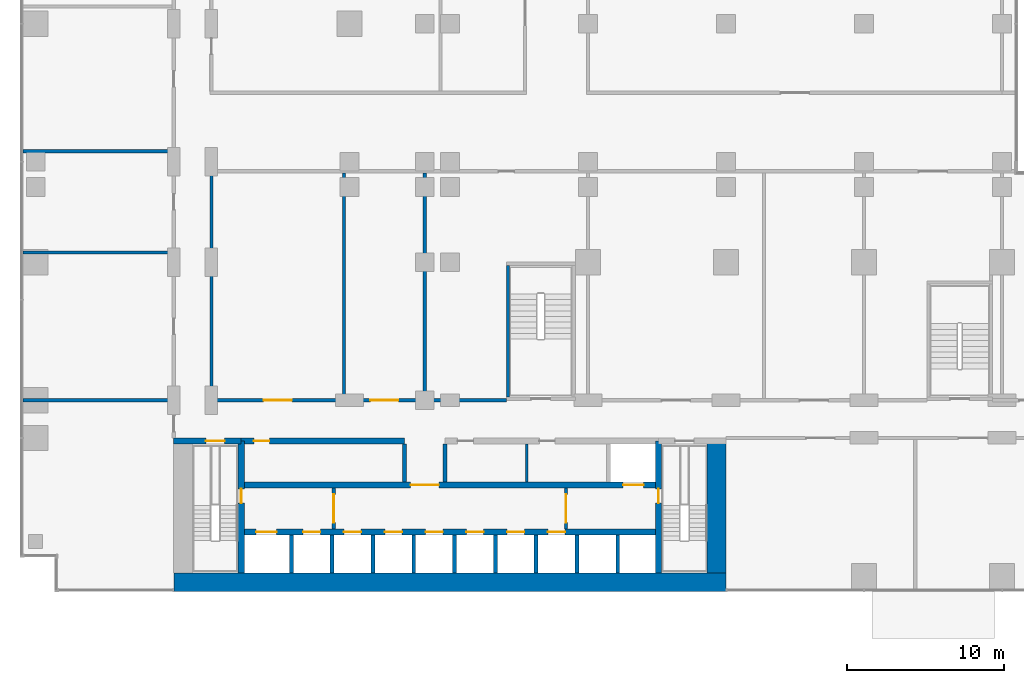
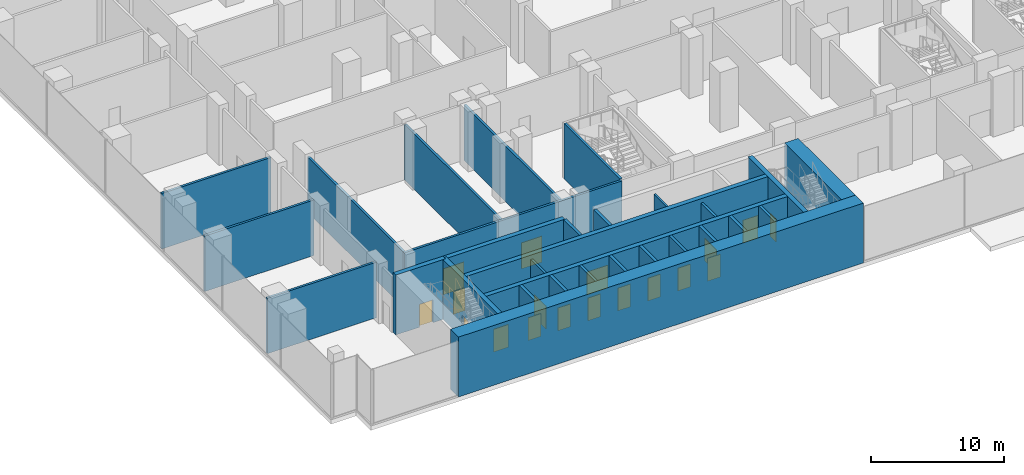
# One storey, part 18 of 30: 30 walls, 18 doors, 18 openings.
"""IFC4 building model written with IfcOpenShell, lengths in metres."""

from ifc_helpers import new_model, si_unit, direction, frame, frame_2d, origin, place, context, subcontext, project, spatial, rectangle, extrude, material, layer, layer_set, type_object, element, fill, save


model = new_model("IFC4")

# Units and contexts
model_context = context("Model", 3, precision=1e-05, world=origin(), true_north=direction((0.0, 1.0)))
body_context = subcontext(model_context, "Body", "Model", "MODEL_VIEW")
ifc_project = project(units=[si_unit("LENGTHUNIT", "METRE"), si_unit("AREAUNIT", "SQUARE_METRE"), si_unit("VOLUMEUNIT", "CUBIC_METRE"), si_unit("PLANEANGLEUNIT", "RADIAN"), si_unit("MASSUNIT", "GRAM", prefix="KILO")], contexts=[model_context])

# Site, building, storey
site_placement = place(None, origin())
site = spatial("IfcSite", under=ifc_project, at=site_placement, CompositionType="ELEMENT")
building_placement = place(site_placement, origin())
building = spatial("IfcBuilding", under=site, at=building_placement, Name="Kemantara Hotel Tower", CompositionType="ELEMENT")
storey_placement = place(building_placement, frame((0.0, 0.0, 7.5)))
storey = spatial("IfcBuildingStorey", under=building, at=storey_placement, Name="L01", CompositionType="ELEMENT", Elevation=7.5)

# Walls
ifc_material_1 = material(Name="Concrete fc 70 MPa", Category="concrete")
ifc_layer_1 = layer(ifc_material_1, 1.199951171875)
ifc_layer_set_1 = layer_set([ifc_layer_1], Name="Concrete fc 70 MPa")
wall_type_1 = type_object("IfcWallType", Name="CORE WALL 1200 FC70", PredefinedType="SHEAR", material=ifc_layer_set_1)
wall_1_placement = place(storey_placement, frame((9.800048828125, 0.60009765625, 0.0), z_axis=(0.0, 0.0, 1.0), x_axis=(1.0, 0.0, 0.0)))
element("IfcWall", 1, at=wall_1_placement, inside=storey, type_object=wall_type_1, Name="CORE WALL CW-S", PredefinedType="SHEAR", context=body_context, shape_type="SweptSolid", body=[
    extrude(rectangle(XDim=35.199951171875, YDim=1.199951171875, at=frame_2d((17.60009765625, 0.0))), origin(), (0.0, 0.0, 1.0), 5.5),
])
wall_2_placement = place(storey_placement, frame((44.39990234375, 1.199951171875, 0.0), z_axis=(0.0, 0.0, 1.0), x_axis=(0.0, 1.0, 0.0)))
element("IfcWall", 2, at=wall_2_placement, inside=storey, type_object=wall_type_1, Name="CORE WALL CW-E", PredefinedType="SHEAR", context=body_context, shape_type="SweptSolid", body=[
    extrude(rectangle(XDim=8.60009765625, YDim=1.199951171875, at=frame_2d((4.300048828125, 0.0))), origin(), (0.0, 0.0, 1.0), 5.5),
])
ifc_layer_2 = layer(ifc_material_1, 0.25)
ifc_layer_set_2 = layer_set([ifc_layer_2], Name="Concrete fc 70 MPa")
wall_type_2 = type_object("IfcWallType", Name="CORE WALL 250 FC70", PredefinedType="SHEAR", material=ifc_layer_set_2)
for number, where, z_axis, x_axis, name in (
    (3, (17.300048828125, 1.199951171875, 0.0), (0.0, 0.0, 1.0), (0.0, 1.0, 0.0), "CORE WALL CW-DS17.3"),
    (4, (19.89990234375, 1.199951171875, 0.0), (0.0, 0.0, 1.0), (0.0, 1.0, 0.0), "CORE WALL CW-DS19.9"),
    (5, (22.5, 1.199951171875, 0.0), (0.0, 0.0, 1.0), (0.0, 1.0, 0.0), "CORE WALL CW-DS22.5"),
    (6, (25.10009765625, 1.199951171875, 0.0), (0.0, 0.0, 1.0), (0.0, 1.0, 0.0), "CORE WALL CW-DS25.1"),
    (7, (27.699951171875, 1.199951171875, 0.0), (0.0, 0.0, 1.0), (0.0, 1.0, 0.0), "CORE WALL CW-DS27.7"),
    (8, (30.300048828125, 1.199951171875, 0.0), (0.0, 0.0, 1.0), (0.0, 1.0, 0.0), "CORE WALL CW-DS30.3"),
    (9, (32.89990234375, 1.199951171875, 0.0), (0.0, 0.0, 1.0), (0.0, 1.0, 0.0), "CORE WALL CW-DS32.9"),
    (10, (35.5, 1.199951171875, 0.0), (0.0, 0.0, 1.0), (0.0, 1.0, 0.0), "CORE WALL CW-DS35.5"),
    (11, (38.10009765625, 1.199951171875, 0.0), (0.0, 0.0, 1.0), (0.0, 1.0, 0.0), "CORE WALL CW-DS38.1"),
):
    element("IfcWall", number, at=place(storey_placement, frame(where, z_axis=z_axis, x_axis=x_axis)), inside=storey, type_object=wall_type_2, Name=name, PredefinedType="SHEAR", context=body_context, shape_type="SweptSolid", body=[
        extrude(rectangle(XDim=2.400146484375, YDim=0.25, at=frame_2d((1.2001953125, 0.0))), origin(), (0.0, 0.0, 1.0), 5.5),
    ])
for number, where, z_axis, x_axis, name in (
    (12, (24.5, 7.0, 0.0), (0.0, 0.0, 1.0), (0.0, 1.0, 0.0), "CORE WALL CW-DN24.5"),
    (13, (27.10009765625, 7.0, 0.0), (0.0, 0.0, 1.0), (0.0, 1.0, 0.0), "CORE WALL CW-DN27.1"),
):
    element("IfcWall", number, at=place(storey_placement, frame(where, z_axis=z_axis, x_axis=x_axis)), inside=storey, type_object=wall_type_2, Name=name, PredefinedType="SHEAR", context=body_context, shape_type="SweptSolid", body=[
        extrude(rectangle(XDim=2.39990234375, YDim=0.25, at=frame_2d((1.199951171875, 0.0))), origin(), (0.0, 0.0, 1.0), 5.5),
    ])

# Wall, opening, door
ifc_layer_3 = layer(ifc_material_1, 0.39990234375)
ifc_layer_set_3 = layer_set([ifc_layer_3], Name="Concrete fc 70 MPa")
wall_type_3 = type_object("IfcWallType", Name="CORE WALL 400 FC70", PredefinedType="SHEAR", material=ifc_layer_set_3)
wall_3_placement = place(storey_placement, frame((9.800048828125, 9.60009765625, 0.0), z_axis=(0.0, 0.0, 1.0), x_axis=(1.0, 0.0, 0.0)))
wall_3 = element("IfcWall", 14, at=wall_3_placement, inside=storey, type_object=wall_type_3, Name="CORE WALL CW-N1", PredefinedType="SHEAR", context=body_context, shape_type="SweptSolid", body=[
    extrude(rectangle(XDim=4.300048828125, YDim=0.39990234375, at=frame_2d((2.14990234375, 0.0))), origin(), (0.0, 0.0, 1.0), 5.5),
])
opening_1_placement = place(wall_3_placement, frame((2.050048828125, 0.0, 0.0)))
opening_1 = element("IfcOpeningElement", 15, at=opening_1_placement, cuts=wall_3, Name="Opening C04-ST1-C", PredefinedType="OPENING", context=body_context, shape_type="SweptSolid", body=[
    extrude(rectangle(XDim=1.199951171875, YDim=2.10009765625, at=frame_2d((0.60009765625, 1.050048828125))), frame((0.0, 0.2099609375, 0.0), z_axis=(0.0, -1.0, 0.0), x_axis=(1.0, 0.0, 0.0)), (0.0, 0.0, 1.0), 0.419921875),
])
ifc_material_2 = material(Name="Steel fire door", Category="steel")
door_type_1 = type_object("IfcDoorType", Name="Fire door FD90 1200 x 2100", OperationType="NOTDEFINED", PredefinedType="DOOR", material=ifc_material_2)
door_1_placement = place(opening_1_placement, frame((1.199951171875, 0.0, 0.0), z_axis=(0.0, 0.0, 1.0), x_axis=(-1.0, 0.0, 0.0)))
door_1 = element("IfcDoor", 16, at=door_1_placement, inside=storey, type_object=door_type_1, Name="Stair ST1 door to corridor", OperationType="SINGLE_SWING_LEFT", OverallHeight=2.10009765625, OverallWidth=1.199951171875, PredefinedType="DOOR", context=body_context, shape_type="SweptSolid", body=[
    extrude(rectangle(XDim=1.199951171875, YDim=2.10009765625, at=frame_2d((0.60009765625, 1.050048828125))), frame((0.0, 0.02490234375, 0.0), z_axis=(0.0, -1.0, 0.0), x_axis=(1.0, 0.0, 0.0)), (0.0, 0.0, 1.0), 0.050048828125),
])
fill(opening_1, door_1)

wall_4_placement = place(storey_placement, frame((14.10009765625, 9.60009765625, 0.0), z_axis=(0.0, 0.0, 1.0), x_axis=(1.0, 0.0, 0.0)))
wall_4 = element("IfcWall", 17, at=wall_4_placement, inside=storey, type_object=wall_type_3, Name="CORE WALL CW-NN1", PredefinedType="SHEAR", context=body_context, shape_type="SweptSolid", body=[
    extrude(rectangle(XDim=10.39990234375, YDim=0.39990234375, at=frame_2d((5.199951171875, 0.0))), origin(), (0.0, 0.0, 1.0), 5.5),
])
opening_2_placement = place(wall_4_placement, frame((0.800048828125, 0.0, 0.0)))
opening_2 = element("IfcOpeningElement", 18, at=opening_2_placement, cuts=wall_4, Name="Opening C04-R-NW1", PredefinedType="OPENING", context=body_context, shape_type="SweptSolid", body=[
    extrude(rectangle(XDim=1.0, YDim=2.10009765625, at=frame_2d((0.5, 1.050048828125))), frame((0.0, 0.2099609375, 0.0), z_axis=(0.0, -1.0, 0.0), x_axis=(1.0, 0.0, 0.0)), (0.0, 0.0, 1.0), 0.419921875),
])
door_type_2 = type_object("IfcDoorType", Name="Fire door FD30S 1000 x 2100", OperationType="NOTDEFINED", PredefinedType="DOOR", material=ifc_material_2)
door_2_placement = place(opening_2_placement, frame((1.0, 0.0, 0.0), z_axis=(0.0, 0.0, 1.0), x_axis=(-1.0, 0.0, 0.0)))
door_2 = element("IfcDoor", 19, at=door_2_placement, inside=storey, type_object=door_type_2, Name="Linen Store door", OperationType="SINGLE_SWING_RIGHT", OverallHeight=2.10009765625, OverallWidth=1.0, PredefinedType="DOOR", context=body_context, shape_type="SweptSolid", body=[
    extrude(rectangle(XDim=1.0, YDim=2.10009765625, at=frame_2d((0.5, 1.050048828125))), frame((0.0, 0.02490234375, 0.0), z_axis=(0.0, -1.0, 0.0), x_axis=(1.0, 0.0, 0.0)), (0.0, 0.0, 1.0), 0.050048828125),
])
fill(opening_2, door_2)

# Wall, openings, doors
wall_5_placement = place(storey_placement, frame((14.10009765625, 3.800048828125, 0.0), z_axis=(0.0, 0.0, 1.0), x_axis=(1.0, 0.0, 0.0)))
wall_5 = element("IfcWall", 20, at=wall_5_placement, inside=storey, type_object=wall_type_3, Name="CORE WALL CW-L1", PredefinedType="SHEAR", context=body_context, shape_type="SweptSolid", body=[
    extrude(rectangle(XDim=26.599853515625, YDim=0.39990234375, at=frame_2d((13.2998046875, 0.0))), origin(), (0.0, 0.0, 1.0), 5.5),
])
opening_3_placement = place(wall_5_placement, frame((0.949951171875, 0.0, 0.0)))
opening_3 = element("IfcOpeningElement", 21, at=opening_3_placement, cuts=wall_5, Name="Opening C04-LD-FF1", PredefinedType="OPENING", context=body_context, shape_type="SweptSolid", body=[
    extrude(rectangle(XDim=1.300048828125, YDim=2.10009765625, at=frame_2d((0.64990234375, 1.050048828125))), frame((0.0, 0.2099609375, 0.0), z_axis=(0.0, -1.0, 0.0), x_axis=(1.0, 0.0, 0.0)), (0.0, 0.0, 1.0), 0.419921875),
])
opening_4_placement = place(wall_5_placement, frame((3.949951171875, 0.0, 0.0)))
opening_4 = element("IfcOpeningElement", 22, at=opening_4_placement, cuts=wall_5, Name="Opening C04-LD-SV1", PredefinedType="OPENING", context=body_context, shape_type="SweptSolid", body=[
    extrude(rectangle(XDim=1.10009765625, YDim=2.10009765625, at=frame_2d((0.550048828125, 1.050048828125))), frame((0.0, 0.2099609375, 0.0), z_axis=(0.0, -1.0, 0.0), x_axis=(1.0, 0.0, 0.0)), (0.0, 0.0, 1.0), 0.419921875),
])
opening_5_placement = place(wall_5_placement, frame((6.550048828125, 0.0, 0.0)))
opening_5 = element("IfcOpeningElement", 23, at=opening_5_placement, cuts=wall_5, Name="Opening C04-LD-SV2", PredefinedType="OPENING", context=body_context, shape_type="SweptSolid", body=[
    extrude(rectangle(XDim=1.10009765625, YDim=2.10009765625, at=frame_2d((0.550048828125, 1.050048828125))), frame((0.0, 0.2099609375, 0.0), z_axis=(0.0, -1.0, 0.0), x_axis=(1.0, 0.0, 0.0)), (0.0, 0.0, 1.0), 0.419921875),
])
opening_6_placement = place(wall_5_placement, frame((9.14990234375, 0.0, 0.0)))
opening_6 = element("IfcOpeningElement", 24, at=opening_6_placement, cuts=wall_5, Name="Opening C04-LD-SV3", PredefinedType="OPENING", context=body_context, shape_type="SweptSolid", body=[
    extrude(rectangle(XDim=1.10009765625, YDim=2.10009765625, at=frame_2d((0.550048828125, 1.050048828125))), frame((0.0, 0.2099609375, 0.0), z_axis=(0.0, -1.0, 0.0), x_axis=(1.0, 0.0, 0.0)), (0.0, 0.0, 1.0), 0.419921875),
])
opening_7_placement = place(wall_5_placement, frame((11.75, 0.0, 0.0)))
opening_7 = element("IfcOpeningElement", 25, at=opening_7_placement, cuts=wall_5, Name="Opening C04-LD-LR1", PredefinedType="OPENING", context=body_context, shape_type="SweptSolid", body=[
    extrude(rectangle(XDim=1.10009765625, YDim=2.10009765625, at=frame_2d((0.550048828125, 1.050048828125))), frame((0.0, 0.2099609375, 0.0), z_axis=(0.0, -1.0, 0.0), x_axis=(1.0, 0.0, 0.0)), (0.0, 0.0, 1.0), 0.419921875),
])
opening_8_placement = place(wall_5_placement, frame((14.35009765625, 0.0, 0.0)))
opening_8 = element("IfcOpeningElement", 26, at=opening_8_placement, cuts=wall_5, Name="Opening C04-LD-LR2", PredefinedType="OPENING", context=body_context, shape_type="SweptSolid", body=[
    extrude(rectangle(XDim=1.10009765625, YDim=2.10009765625, at=frame_2d((0.550048828125, 1.050048828125))), frame((0.0, 0.2099609375, 0.0), z_axis=(0.0, -1.0, 0.0), x_axis=(1.0, 0.0, 0.0)), (0.0, 0.0, 1.0), 0.419921875),
])
opening_9_placement = place(wall_5_placement, frame((16.949951171875, 0.0, 0.0)))
opening_9 = element("IfcOpeningElement", 27, at=opening_9_placement, cuts=wall_5, Name="Opening C04-LD-LR3", PredefinedType="OPENING", context=body_context, shape_type="SweptSolid", body=[
    extrude(rectangle(XDim=1.10009765625, YDim=2.10009765625, at=frame_2d((0.550048828125, 1.050048828125))), frame((0.0, 0.2099609375, 0.0), z_axis=(0.0, -1.0, 0.0), x_axis=(1.0, 0.0, 0.0)), (0.0, 0.0, 1.0), 0.419921875),
])
opening_10_placement = place(wall_5_placement, frame((19.550048828125, 0.0, 0.0)))
opening_10 = element("IfcOpeningElement", 28, at=opening_10_placement, cuts=wall_5, Name="Opening C04-LD-LR4", PredefinedType="OPENING", context=body_context, shape_type="SweptSolid", body=[
    extrude(rectangle(XDim=1.10009765625, YDim=2.10009765625, at=frame_2d((0.550048828125, 1.050048828125))), frame((0.0, 0.2099609375, 0.0), z_axis=(0.0, -1.0, 0.0), x_axis=(1.0, 0.0, 0.0)), (0.0, 0.0, 1.0), 0.419921875),
])
ifc_material_3 = material(Name="Stainless steel lift door", Category="steel")
door_type_3 = type_object("IfcDoorType", Name="Lift landing door 1100 x 2100 FD60", OperationType="DOUBLE_DOOR_SLIDING", PredefinedType="DOOR", material=ifc_material_3)
door_3_placement = place(opening_4_placement, origin())
door_3 = element("IfcDoor", 29, at=door_3_placement, inside=storey, type_object=door_type_3, Name="Lift SV1 landing door", OperationType="DOUBLE_DOOR_SLIDING", OverallHeight=2.10009765625, OverallWidth=1.10009765625, PredefinedType="DOOR", context=body_context, shape_type="SweptSolid", body=[
    extrude(rectangle(XDim=1.10009765625, YDim=2.10009765625, at=frame_2d((0.550048828125, 1.050048828125))), frame((0.0, 0.02490234375, 0.0), z_axis=(0.0, -1.0, 0.0), x_axis=(1.0, 0.0, 0.0)), (0.0, 0.0, 1.0), 0.050048828125),
])
fill(opening_4, door_3)
door_4_placement = place(opening_5_placement, origin())
door_4 = element("IfcDoor", 30, at=door_4_placement, inside=storey, type_object=door_type_3, Name="Lift SV2 landing door", OperationType="DOUBLE_DOOR_SLIDING", OverallHeight=2.10009765625, OverallWidth=1.10009765625, PredefinedType="DOOR", context=body_context, shape_type="SweptSolid", body=[
    extrude(rectangle(XDim=1.10009765625, YDim=2.10009765625, at=frame_2d((0.550048828125, 1.050048828125))), frame((0.0, 0.02490234375, 0.0), z_axis=(0.0, -1.0, 0.0), x_axis=(1.0, 0.0, 0.0)), (0.0, 0.0, 1.0), 0.050048828125),
])
fill(opening_5, door_4)
door_5_placement = place(opening_6_placement, origin())
door_5 = element("IfcDoor", 31, at=door_5_placement, inside=storey, type_object=door_type_3, Name="Lift SV3 landing door", OperationType="DOUBLE_DOOR_SLIDING", OverallHeight=2.10009765625, OverallWidth=1.10009765625, PredefinedType="DOOR", context=body_context, shape_type="SweptSolid", body=[
    extrude(rectangle(XDim=1.10009765625, YDim=2.10009765625, at=frame_2d((0.550048828125, 1.050048828125))), frame((0.0, 0.02490234375, 0.0), z_axis=(0.0, -1.0, 0.0), x_axis=(1.0, 0.0, 0.0)), (0.0, 0.0, 1.0), 0.050048828125),
])
fill(opening_6, door_5)
door_6_placement = place(opening_7_placement, origin())
door_6 = element("IfcDoor", 32, at=door_6_placement, inside=storey, type_object=door_type_3, Name="Lift LR1 landing door", OperationType="DOUBLE_DOOR_SLIDING", OverallHeight=2.10009765625, OverallWidth=1.10009765625, PredefinedType="DOOR", context=body_context, shape_type="SweptSolid", body=[
    extrude(rectangle(XDim=1.10009765625, YDim=2.10009765625, at=frame_2d((0.550048828125, 1.050048828125))), frame((0.0, 0.02490234375, 0.0), z_axis=(0.0, -1.0, 0.0), x_axis=(1.0, 0.0, 0.0)), (0.0, 0.0, 1.0), 0.050048828125),
])
fill(opening_7, door_6)
door_7_placement = place(opening_8_placement, origin())
door_7 = element("IfcDoor", 33, at=door_7_placement, inside=storey, type_object=door_type_3, Name="Lift LR2 landing door", OperationType="DOUBLE_DOOR_SLIDING", OverallHeight=2.10009765625, OverallWidth=1.10009765625, PredefinedType="DOOR", context=body_context, shape_type="SweptSolid", body=[
    extrude(rectangle(XDim=1.10009765625, YDim=2.10009765625, at=frame_2d((0.550048828125, 1.050048828125))), frame((0.0, 0.02490234375, 0.0), z_axis=(0.0, -1.0, 0.0), x_axis=(1.0, 0.0, 0.0)), (0.0, 0.0, 1.0), 0.050048828125),
])
fill(opening_8, door_7)
door_8_placement = place(opening_9_placement, origin())
door_8 = element("IfcDoor", 34, at=door_8_placement, inside=storey, type_object=door_type_3, Name="Lift LR3 landing door", OperationType="DOUBLE_DOOR_SLIDING", OverallHeight=2.10009765625, OverallWidth=1.10009765625, PredefinedType="DOOR", context=body_context, shape_type="SweptSolid", body=[
    extrude(rectangle(XDim=1.10009765625, YDim=2.10009765625, at=frame_2d((0.550048828125, 1.050048828125))), frame((0.0, 0.02490234375, 0.0), z_axis=(0.0, -1.0, 0.0), x_axis=(1.0, 0.0, 0.0)), (0.0, 0.0, 1.0), 0.050048828125),
])
fill(opening_9, door_8)
door_9_placement = place(opening_10_placement, origin())
door_9 = element("IfcDoor", 35, at=door_9_placement, inside=storey, type_object=door_type_3, Name="Lift LR4 landing door", OperationType="DOUBLE_DOOR_SLIDING", OverallHeight=2.10009765625, OverallWidth=1.10009765625, PredefinedType="DOOR", context=body_context, shape_type="SweptSolid", body=[
    extrude(rectangle(XDim=1.10009765625, YDim=2.10009765625, at=frame_2d((0.550048828125, 1.050048828125))), frame((0.0, 0.02490234375, 0.0), z_axis=(0.0, -1.0, 0.0), x_axis=(1.0, 0.0, 0.0)), (0.0, 0.0, 1.0), 0.050048828125),
])
fill(opening_10, door_9)
door_type_4 = type_object("IfcDoorType", Name="Lift landing door 1300 x 2100 FD90", OperationType="DOUBLE_DOOR_SLIDING", PredefinedType="DOOR", material=ifc_material_3)
door_10_placement = place(opening_3_placement, origin())
door_10 = element("IfcDoor", 36, at=door_10_placement, inside=storey, type_object=door_type_4, Name="Lift FF1 landing door", OperationType="DOUBLE_DOOR_SLIDING", OverallHeight=2.10009765625, OverallWidth=1.300048828125, PredefinedType="DOOR", context=body_context, shape_type="SweptSolid", body=[
    extrude(rectangle(XDim=1.300048828125, YDim=2.10009765625, at=frame_2d((0.64990234375, 1.050048828125))), frame((0.0, 0.02490234375, 0.0), z_axis=(0.0, -1.0, 0.0), x_axis=(1.0, 0.0, 0.0)), (0.0, 0.0, 1.0), 0.050048828125),
])
fill(opening_3, door_10)

wall_6_placement = place(storey_placement, frame((14.10009765625, 6.800048828125, 0.0), z_axis=(0.0, 0.0, 1.0), x_axis=(1.0, 0.0, 0.0)))
wall_6 = element("IfcWall", 37, at=wall_6_placement, inside=storey, type_object=wall_type_3, Name="CORE WALL CW-L2", PredefinedType="SHEAR", context=body_context, shape_type="SweptSolid", body=[
    extrude(rectangle(XDim=26.599853515625, YDim=0.39990234375, at=frame_2d((13.2998046875, 0.0))), origin(), (0.0, 0.0, 1.0), 5.5),
])
opening_11_placement = place(wall_6_placement, frame((10.800048828125, 0.0, 0.0)))
opening_11 = element("IfcOpeningElement", 38, at=opening_11_placement, cuts=wall_6, Name="Opening C04-VL", PredefinedType="OPENING", context=body_context, shape_type="SweptSolid", body=[
    extrude(rectangle(XDim=1.800048828125, YDim=2.10009765625, at=frame_2d((0.89990234375, 1.050048828125))), frame((0.0, 0.2099609375, 0.0), z_axis=(0.0, -1.0, 0.0), x_axis=(1.0, 0.0, 0.0)), (0.0, 0.0, 1.0), 0.419921875),
])
opening_12_placement = place(wall_6_placement, frame((24.35009765625, 0.0, 0.0)))
opening_12 = element("IfcOpeningElement", 39, at=opening_12_placement, cuts=wall_6, Name="Opening C04-LD-FF2", PredefinedType="OPENING", context=body_context, shape_type="SweptSolid", body=[
    extrude(rectangle(XDim=1.300048828125, YDim=2.10009765625, at=frame_2d((0.64990234375, 1.050048828125))), frame((0.0, 0.2099609375, 0.0), z_axis=(0.0, -1.0, 0.0), x_axis=(1.0, 0.0, 0.0)), (0.0, 0.0, 1.0), 0.419921875),
])
door_type_5 = type_object("IfcDoorType", Name="Fire door pair FD60 1800 x 2100", OperationType="DOUBLE_DOOR_SINGLE_SWING", PredefinedType="DOOR", material=ifc_material_2)
door_11_placement = place(opening_11_placement, frame((1.800048828125, 0.0, 0.0), z_axis=(0.0, 0.0, 1.0), x_axis=(-1.0, 0.0, 0.0)))
door_11 = element("IfcDoor", 40, at=door_11_placement, inside=storey, type_object=door_type_5, Name="Lift lobby entry door", OperationType="DOUBLE_DOOR_SINGLE_SWING", OverallHeight=2.10009765625, OverallWidth=1.800048828125, PredefinedType="DOOR", context=body_context, shape_type="SweptSolid", body=[
    extrude(rectangle(XDim=1.800048828125, YDim=2.10009765625, at=frame_2d((0.89990234375, 1.050048828125))), frame((0.0, 0.02490234375, 0.0), z_axis=(0.0, -1.0, 0.0), x_axis=(1.0, 0.0, 0.0)), (0.0, 0.0, 1.0), 0.050048828125),
])
fill(opening_11, door_11)
door_12_placement = place(opening_12_placement, origin())
door_12 = element("IfcDoor", 41, at=door_12_placement, inside=storey, type_object=door_type_4, Name="Lift FF2 landing door", OperationType="DOUBLE_DOOR_SLIDING", OverallHeight=2.10009765625, OverallWidth=1.300048828125, PredefinedType="DOOR", context=body_context, shape_type="SweptSolid", body=[
    extrude(rectangle(XDim=1.300048828125, YDim=2.10009765625, at=frame_2d((0.64990234375, 1.050048828125))), frame((0.0, 0.02490234375, 0.0), z_axis=(0.0, -1.0, 0.0), x_axis=(1.0, 0.0, 0.0)), (0.0, 0.0, 1.0), 0.050048828125),
])
fill(opening_12, door_12)

# Wall, opening, door
wall_7_placement = place(storey_placement, frame((14.10009765625, 1.199951171875, 0.0), z_axis=(0.0, 0.0, 1.0), x_axis=(0.0, 1.0, 0.0)))
wall_7 = element("IfcWall", 42, at=wall_7_placement, inside=storey, type_object=wall_type_3, Name="CORE WALL CW-ST1E", PredefinedType="SHEAR", context=body_context, shape_type="SweptSolid", body=[
    extrude(rectangle(XDim=8.400146484375, YDim=0.39990234375, at=frame_2d((4.2001953125, 0.0))), origin(), (0.0, 0.0, 1.0), 5.5),
])
opening_13_placement = place(wall_7_placement, frame((4.449951171875, 0.0, 0.0)))
opening_13 = element("IfcOpeningElement", 43, at=opening_13_placement, cuts=wall_7, Name="Opening C04-ST1-F", PredefinedType="OPENING", context=body_context, shape_type="SweptSolid", body=[
    extrude(rectangle(XDim=0.89990234375, YDim=2.10009765625, at=frame_2d((0.449951171875, 1.050048828125))), frame((0.0, 0.2099609375, 0.0), z_axis=(0.0, -1.0, 0.0), x_axis=(1.0, 0.0, 0.0)), (0.0, 0.0, 1.0), 0.419921875),
])
door_type_6 = type_object("IfcDoorType", Name="Fire door FD90 900 x 2100", OperationType="NOTDEFINED", PredefinedType="DOOR", material=ifc_material_2)
door_13_placement = place(opening_13_placement, origin())
door_13 = element("IfcDoor", 44, at=door_13_placement, inside=storey, type_object=door_type_6, Name="Stair ST1 door to firefighting lobby", OperationType="SINGLE_SWING_RIGHT", OverallHeight=2.10009765625, OverallWidth=0.89990234375, PredefinedType="DOOR", context=body_context, shape_type="SweptSolid", body=[
    extrude(rectangle(XDim=0.89990234375, YDim=2.10009765625, at=frame_2d((0.449951171875, 1.050048828125))), frame((0.0, 0.02490234375, 0.0), z_axis=(0.0, -1.0, 0.0), x_axis=(1.0, 0.0, 0.0)), (0.0, 0.0, 1.0), 0.050048828125),
])
fill(opening_13, door_13)

wall_8_placement = place(storey_placement, frame((40.699951171875, 1.199951171875, 0.0), z_axis=(0.0, 0.0, 1.0), x_axis=(0.0, 1.0, 0.0)))
wall_8 = element("IfcWall", 45, at=wall_8_placement, inside=storey, type_object=wall_type_3, Name="CORE WALL CW-ST2W", PredefinedType="SHEAR", context=body_context, shape_type="SweptSolid", body=[
    extrude(rectangle(XDim=8.400146484375, YDim=0.39990234375, at=frame_2d((4.2001953125, 0.0))), origin(), (0.0, 0.0, 1.0), 5.5),
])
opening_14_placement = place(wall_8_placement, frame((4.449951171875, 0.0, 0.0)))
opening_14 = element("IfcOpeningElement", 46, at=opening_14_placement, cuts=wall_8, Name="Opening C04-ST2-F", PredefinedType="OPENING", context=body_context, shape_type="SweptSolid", body=[
    extrude(rectangle(XDim=0.89990234375, YDim=2.10009765625, at=frame_2d((0.449951171875, 1.050048828125))), frame((0.0, 0.2099609375, 0.0), z_axis=(0.0, -1.0, 0.0), x_axis=(1.0, 0.0, 0.0)), (0.0, 0.0, 1.0), 0.419921875),
])
door_14_placement = place(opening_14_placement, frame((0.89990234375, 0.0, 0.0), z_axis=(0.0, 0.0, 1.0), x_axis=(-1.0, 0.0, 0.0)))
door_14 = element("IfcDoor", 47, at=door_14_placement, inside=storey, type_object=door_type_6, Name="Stair ST2 door to firefighting lobby", OperationType="SINGLE_SWING_LEFT", OverallHeight=2.10009765625, OverallWidth=0.89990234375, PredefinedType="DOOR", context=body_context, shape_type="SweptSolid", body=[
    extrude(rectangle(XDim=0.89990234375, YDim=2.10009765625, at=frame_2d((0.449951171875, 1.050048828125))), frame((0.0, 0.02490234375, 0.0), z_axis=(0.0, -1.0, 0.0), x_axis=(1.0, 0.0, 0.0)), (0.0, 0.0, 1.0), 0.050048828125),
])
fill(opening_14, door_14)

# Walls
ifc_material_4 = material(Name="Concrete fc 40 MPa", Category="concrete")
ifc_layer_4 = layer(ifc_material_4, 0.199951171875)
ifc_layer_set_4 = layer_set([ifc_layer_4], Name="Concrete fc 40 MPa")
wall_type_4 = type_object("IfcWallType", Name="Concrete stair wall 200 mm", PredefinedType="SHEAR", material=ifc_layer_set_4)
wall_9_placement = place(storey_placement, frame((31.10009765625, 12.39990234375, 0.0), z_axis=(0.0, 0.0, 1.0), x_axis=(0.0, 1.0, 0.0)))
element("IfcWall", 48, at=wall_9_placement, inside=storey, type_object=wall_type_4, Name="Stair PS3 enclosure wall W", PredefinedType="SHEAR", context=body_context, shape_type="SweptSolid", body=[
    extrude(rectangle(XDim=8.400146484375, YDim=0.199951171875, at=frame_2d((4.2001953125, 0.0))), origin(), (0.0, 0.0, 1.0), 5.10009765625),
])
ifc_material_5 = material(Name="Clay brick masonry", Category="masonry")
ifc_layer_5 = layer(ifc_material_5, 0.199951171875)
ifc_layer_set_5 = layer_set([ifc_layer_5], Name="Clay brick masonry")
wall_type_5 = type_object("IfcWallType", Name="FIRE-RATED CLAY BRICK WALL 200 EI 120", PredefinedType="PARTITIONING", material=ifc_layer_set_5)
wall_10_placement = place(storey_placement, frame((0.199951171875, 12.199951171875, 0.0), z_axis=(0.0, 0.0, 1.0), x_axis=(1.0, 0.0, 0.0)))
element("IfcWall", 49, at=wall_10_placement, inside=storey, type_object=wall_type_5, Name="FIRE WALL", PredefinedType="PARTITIONING", context=body_context, shape_type="SweptSolid", body=[
    extrude(rectangle(XDim=9.5, YDim=0.199951171875, at=frame_2d((4.75, 0.0))), origin(), (0.0, 0.0, 1.0), 5.10009765625),
])

# Wall, openings, doors
ifc_material_6 = material(Name="Fire-rated gypsum board partition")
ifc_layer_6 = layer(ifc_material_6, 0.199951171875)
ifc_layer_set_6 = layer_set([ifc_layer_6], Name="Fire-rated gypsum board partition")
wall_type_6 = type_object("IfcWallType", Name="FIRE-RATED GYPSUM PARTITION 200 EI 60", PredefinedType="PARTITIONING", material=ifc_layer_set_6)
wall_11_placement = place(storey_placement, frame((12.10009765625, 12.199951171875, 0.0), z_axis=(0.0, 0.0, 1.0), x_axis=(1.0, 0.0, 0.0)))
wall_11 = element("IfcWall", 50, at=wall_11_placement, inside=storey, type_object=wall_type_6, Name="FIRE-RATED PARTITION", PredefinedType="PARTITIONING", context=body_context, shape_type="SweptSolid", body=[
    extrude(rectangle(XDim=18.89990234375, YDim=0.199951171875, at=frame_2d((9.449951171875, 0.0))), origin(), (0.0, 0.0, 1.0), 5.10009765625),
])
opening_15_placement = place(wall_11_placement, frame((3.425048828125, 0.0, 0.0)))
opening_15 = element("IfcOpeningElement", 51, at=opening_15_placement, cuts=wall_11, Name="Opening L01-B023", PredefinedType="OPENING", context=body_context, shape_type="SweptSolid", body=[
    extrude(rectangle(XDim=1.800048828125, YDim=2.39990234375, at=frame_2d((0.89990234375, 1.199951171875))), frame((0.0, 0.10986328125, 0.0), z_axis=(0.0, -1.0, 0.0), x_axis=(1.0, 0.0, 0.0)), (0.0, 0.0, 1.0), 0.219970703125),
])
opening_16_placement = place(wall_11_placement, frame((10.22509765625, 0.0, 0.0)))
opening_16 = element("IfcOpeningElement", 52, at=opening_16_placement, cuts=wall_11, Name="Opening L01-B024", PredefinedType="OPENING", context=body_context, shape_type="SweptSolid", body=[
    extrude(rectangle(XDim=1.800048828125, YDim=2.39990234375, at=frame_2d((0.89990234375, 1.199951171875))), frame((0.0, 0.10986328125, 0.0), z_axis=(0.0, -1.0, 0.0), x_axis=(1.0, 0.0, 0.0)), (0.0, 0.0, 1.0), 0.219970703125),
])
ifc_material_7 = material(Name="Toughened glass door leaf", Category="glass")
door_type_7 = type_object("IfcDoorType", Name="GLAZED DOUBLE DOOR 1800 X 2400", OperationType="DOUBLE_DOOR_SINGLE_SWING", PredefinedType="DOOR", material=ifc_material_7)
door_15_placement = place(opening_15_placement, frame((1.800048828125, 0.0, 0.0), z_axis=(0.0, 0.0, 1.0), x_axis=(-1.0, 0.0, 0.0)))
door_15 = element("IfcDoor", 53, at=door_15_placement, inside=storey, type_object=door_type_7, Name="GLAZED DOUBLE DOOR", OperationType="DOUBLE_DOOR_SINGLE_SWING", OverallHeight=2.39990234375, OverallWidth=1.800048828125, PredefinedType="DOOR", context=body_context, shape_type="SweptSolid", body=[
    extrude(rectangle(XDim=1.800048828125, YDim=2.39990234375, at=frame_2d((0.89990234375, 1.199951171875))), frame((0.0, 0.02490234375, 0.0), z_axis=(0.0, -1.0, 0.0), x_axis=(1.0, 0.0, 0.0)), (0.0, 0.0, 1.0), 0.050048828125),
])
fill(opening_15, door_15)
door_16_placement = place(opening_16_placement, frame((1.800048828125, 0.0, 0.0), z_axis=(0.0, 0.0, 1.0), x_axis=(-1.0, 0.0, 0.0)))
door_16 = element("IfcDoor", 54, at=door_16_placement, inside=storey, type_object=door_type_7, Name="GLAZED DOUBLE DOOR", OperationType="DOUBLE_DOOR_SINGLE_SWING", OverallHeight=2.39990234375, OverallWidth=1.800048828125, PredefinedType="DOOR", context=body_context, shape_type="SweptSolid", body=[
    extrude(rectangle(XDim=1.800048828125, YDim=2.39990234375, at=frame_2d((0.89990234375, 1.199951171875))), frame((0.0, 0.02490234375, 0.0), z_axis=(0.0, -1.0, 0.0), x_axis=(1.0, 0.0, 0.0)), (0.0, 0.0, 1.0), 0.050048828125),
])
fill(opening_16, door_16)

# Walls
wall_12_placement = place(storey_placement, frame((12.199951171875, 12.300048828125, 0.0), z_axis=(0.0, 0.0, 1.0), x_axis=(0.0, 1.0, 0.0)))
element("IfcWall", 55, at=wall_12_placement, inside=storey, type_object=wall_type_6, Name="FIRE-RATED PARTITION", PredefinedType="PARTITIONING", context=body_context, shape_type="SweptSolid", body=[
    extrude(rectangle(XDim=14.39990234375, YDim=0.199951171875, at=frame_2d((7.199951171875, 0.0))), origin(), (0.0, 0.0, 1.0), 5.10009765625),
])
ifc_material_8 = material(Name="Gypsum board partition")
ifc_layer_7 = layer(ifc_material_8, 0.199951171875)
ifc_layer_set_7 = layer_set([ifc_layer_7], Name="Gypsum board partition")
wall_type_7 = type_object("IfcWallType", Name="GYPSUM BOARD PARTITION 200", PredefinedType="PARTITIONING", material=ifc_layer_set_7)
for number, where, z_axis, x_axis, name in (
    (56, (0.199951171875, 21.6201171875, 0.0), (0.0, 0.0, 1.0), (1.0, 0.0, 0.0), "PARTITION"),
    (57, (0.199951171875, 28.070068359375, 0.0), (0.0, 0.0, 1.0), (1.0, 0.0, 0.0), "PARTITION"),
):
    element("IfcWall", number, at=place(storey_placement, frame(where, z_axis=z_axis, x_axis=x_axis)), inside=storey, type_object=wall_type_7, Name=name, PredefinedType="PARTITIONING", context=body_context, shape_type="SweptSolid", body=[
        extrude(rectangle(XDim=9.5, YDim=0.199951171875, at=frame_2d((4.75, 0.0))), origin(), (0.0, 0.0, 1.0), 5.10009765625),
    ])
for number, where, z_axis, x_axis, name in (
    (58, (20.64990234375, 12.300048828125, 0.0), (0.0, 0.0, 1.0), (0.0, 1.0, 0.0), "PARTITION"),
    (59, (25.800048828125, 12.300048828125, 0.0), (0.0, 0.0, 1.0), (0.0, 1.0, 0.0), "PARTITION"),
):
    element("IfcWall", number, at=place(storey_placement, frame(where, z_axis=z_axis, x_axis=x_axis)), inside=storey, type_object=wall_type_7, Name=name, PredefinedType="PARTITIONING", context=body_context, shape_type="SweptSolid", body=[
        extrude(rectangle(XDim=14.39990234375, YDim=0.199951171875, at=frame_2d((7.199951171875, 0.0))), origin(), (0.0, 0.0, 1.0), 5.10009765625),
    ])
ifc_layer_8 = layer(ifc_material_8, 0.14990234375)
ifc_layer_set_8 = layer_set([ifc_layer_8], Name="Gypsum board partition")
wall_type_8 = type_object("IfcWallType", Name="Gypsum board partition 150 mm", PredefinedType="PARTITIONING", material=ifc_layer_set_8)
wall_13_placement = place(storey_placement, frame((32.300048828125, 7.0, 0.0), z_axis=(0.0, 0.0, 1.0), x_axis=(0.0, 1.0, 0.0)))
element("IfcWall", 60, at=wall_13_placement, inside=storey, type_object=wall_type_8, Name="Core room partition", PredefinedType="PARTITIONING", context=body_context, shape_type="SweptSolid", body=[
    extrude(rectangle(XDim=2.39990234375, YDim=0.14990234375, at=frame_2d((1.199951171875, 0.0))), origin(), (0.0, 0.0, 1.0), 5.10009765625),
])

# Wall, opening, door
ifc_material_9 = material(Name="Gypsum board shaft wall")
ifc_layer_9 = layer(ifc_material_9, 0.199951171875)
ifc_layer_set_9 = layer_set([ifc_layer_9], Name="Gypsum board shaft wall")
wall_type_9 = type_object("IfcWallType", Name="Gypsum board shaft wall 200 mm", PredefinedType="PARTITIONING", material=ifc_layer_set_9)
wall_14_placement = place(storey_placement, frame((20.0, 4.0, 0.0), z_axis=(0.0, 0.0, 1.0), x_axis=(0.0, 1.0, 0.0)))
wall_14 = element("IfcWall", 61, at=wall_14_placement, inside=storey, type_object=wall_type_9, Name="Firefighting lobby partition west", PredefinedType="PARTITIONING", context=body_context, shape_type="SweptSolid", body=[
    extrude(rectangle(XDim=2.60009765625, YDim=0.199951171875, at=frame_2d((1.300048828125, 0.0))), origin(), (0.0, 0.0, 1.0), 5.10009765625),
])
opening_17_placement = place(wall_14_placement, frame((0.39990234375, 0.0, 0.0)))
opening_17 = element("IfcOpeningElement", 62, at=opening_17_placement, cuts=wall_14, Name="Opening C04-FFW", PredefinedType="OPENING", context=body_context, shape_type="SweptSolid", body=[
    extrude(rectangle(XDim=1.800048828125, YDim=2.10009765625, at=frame_2d((0.89990234375, 1.050048828125))), frame((0.0, 0.10986328125, 0.0), z_axis=(0.0, -1.0, 0.0), x_axis=(1.0, 0.0, 0.0)), (0.0, 0.0, 1.0), 0.219970703125),
])
door_17_placement = place(opening_17_placement, origin())
door_17 = element("IfcDoor", 63, at=door_17_placement, inside=storey, type_object=door_type_5, Name="Firefighting lobby door west", OperationType="DOUBLE_DOOR_SINGLE_SWING", OverallHeight=2.10009765625, OverallWidth=1.800048828125, PredefinedType="DOOR", context=body_context, shape_type="SweptSolid", body=[
    extrude(rectangle(XDim=1.800048828125, YDim=2.10009765625, at=frame_2d((0.89990234375, 1.050048828125))), frame((0.0, 0.02490234375, 0.0), z_axis=(0.0, -1.0, 0.0), x_axis=(1.0, 0.0, 0.0)), (0.0, 0.0, 1.0), 0.050048828125),
])
fill(opening_17, door_17)

wall_15_placement = place(storey_placement, frame((34.800048828125, 4.0, 0.0), z_axis=(0.0, 0.0, 1.0), x_axis=(0.0, 1.0, 0.0)))
wall_15 = element("IfcWall", 64, at=wall_15_placement, inside=storey, type_object=wall_type_9, Name="Firefighting lobby partition east", PredefinedType="PARTITIONING", context=body_context, shape_type="SweptSolid", body=[
    extrude(rectangle(XDim=2.60009765625, YDim=0.199951171875, at=frame_2d((1.300048828125, 0.0))), origin(), (0.0, 0.0, 1.0), 5.10009765625),
])
opening_18_placement = place(wall_15_placement, frame((0.39990234375, 0.0, 0.0)))
opening_18 = element("IfcOpeningElement", 65, at=opening_18_placement, cuts=wall_15, Name="Opening C04-FFE", PredefinedType="OPENING", context=body_context, shape_type="SweptSolid", body=[
    extrude(rectangle(XDim=1.800048828125, YDim=2.10009765625, at=frame_2d((0.89990234375, 1.050048828125))), frame((0.0, 0.10986328125, 0.0), z_axis=(0.0, -1.0, 0.0), x_axis=(1.0, 0.0, 0.0)), (0.0, 0.0, 1.0), 0.219970703125),
])
door_18_placement = place(opening_18_placement, frame((1.800048828125, 0.0, 0.0), z_axis=(0.0, 0.0, 1.0), x_axis=(-1.0, 0.0, 0.0)))
door_18 = element("IfcDoor", 66, at=door_18_placement, inside=storey, type_object=door_type_5, Name="Firefighting lobby door east", OperationType="DOUBLE_DOOR_SINGLE_SWING", OverallHeight=2.10009765625, OverallWidth=1.800048828125, PredefinedType="DOOR", context=body_context, shape_type="SweptSolid", body=[
    extrude(rectangle(XDim=1.800048828125, YDim=2.10009765625, at=frame_2d((0.89990234375, 1.050048828125))), frame((0.0, 0.02490234375, 0.0), z_axis=(0.0, -1.0, 0.0), x_axis=(1.0, 0.0, 0.0)), (0.0, 0.0, 1.0), 0.050048828125),
])
fill(opening_18, door_18)

save(model, "model.ifc")
